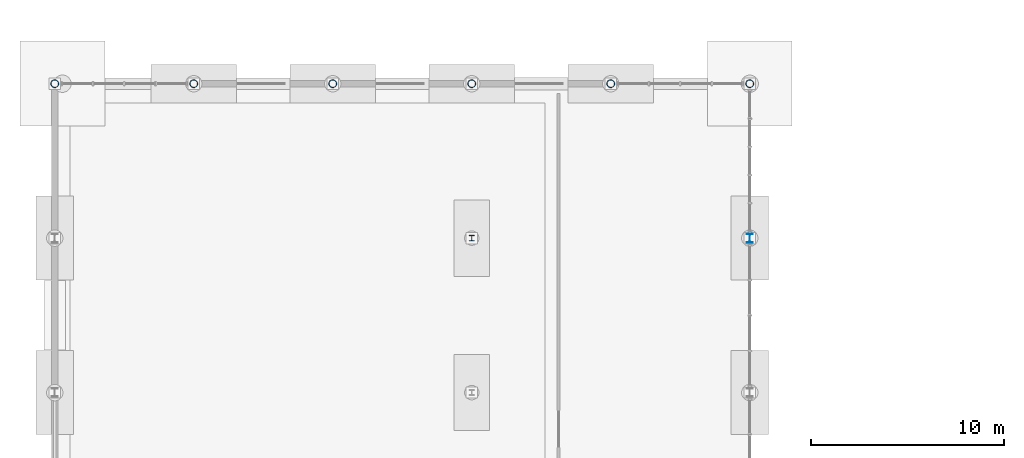
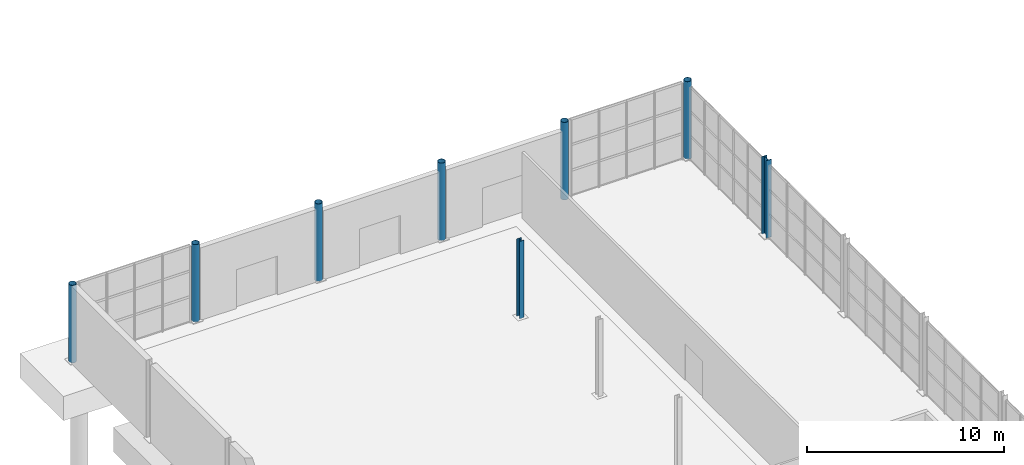
# One storey, part 19 of 101: 8 columns.
"""IFC4 building model written with IfcOpenShell, lengths in metres."""

from ifc_helpers import new_model, si_unit, derived_unit, direction, frame, origin, origin_2d, place, context, subcontext, project, spatial, hollow_circle, i_section, extrude, material, material_profile, profile_set, type_object, element, save


model = new_model("IFC4")

# Units and contexts
model_context = context("Model", 3, precision=1e-05, world=origin(), true_north=direction((0.0, 1.0)))
body_context = subcontext(model_context, "Body", "Model", "MODEL_VIEW")
ifc_project = project(units=[si_unit("LENGTHUNIT", "METRE"), si_unit("AREAUNIT", "SQUARE_METRE"), si_unit("VOLUMEUNIT", "CUBIC_METRE"), si_unit("PLANEANGLEUNIT", "RADIAN"), si_unit("MASSUNIT", "GRAM", prefix="KILO"), derived_unit("THERMALTRANSMITTANCEUNIT", [(si_unit("POWERUNIT", "WATT"), 1), (si_unit("LENGTHUNIT", "METRE"), -2), (si_unit("THERMODYNAMICTEMPERATUREUNIT", "KELVIN"), -1)])], contexts=[model_context])

# Site, building, storey
site_placement = place(None, origin())
site = spatial("IfcSite", under=ifc_project, at=site_placement, CompositionType="ELEMENT")
building_placement = place(site_placement, origin())
building = spatial("IfcBuilding", under=site, at=building_placement, Name="Keldorne Ridge Multi-Sports Centre", CompositionType="ELEMENT")
storey_placement = place(building_placement, origin())
storey = spatial("IfcBuildingStorey", under=building, at=storey_placement, Name="L00", CompositionType="ELEMENT", Elevation=0.0)

# Columns
ifc_material = material(Name="Steel S355", Category="steel")
ifc_material_profile_1 = material_profile(ifc_material, i_section(OverallWidth=0.300048828125, OverallDepth=0.449951171875, WebThickness=0.013916015625, FlangeThickness=0.02587890625, FilletRadius=0.027099609375, at=origin_2d()), Name="HEB 450")
ifc_profile_set_1 = profile_set([ifc_material_profile_1], Name="Steel S355")
column_type_1 = type_object("IfcColumnType", Name="COL-C-06", PredefinedType="COLUMN", material=ifc_profile_set_1)
column_1_placement = place(storey_placement, frame((42.0, 106.0, 0.0), z_axis=(0.0, 0.0, 1.0), x_axis=(1.0, 0.0, 0.0)))
element("IfcColumn", 1, at=column_1_placement, inside=storey, type_object=column_type_1, Name="Structural column V3-SIDE-E-05 on L00", PredefinedType="COLUMN", context=body_context, shape_type="SweptSolid", body=[
    extrude(i_section(OverallWidth=0.300048828125, OverallDepth=0.449951171875, WebThickness=0.013916015625, FlangeThickness=0.02587890625, FilletRadius=0.027099609375, at=origin_2d()), origin(), (0.0, 0.0, 1.0), 4.800048828125),
])
ifc_material_profile_2 = material_profile(ifc_material, hollow_circle(Radius=0.203125, WallThickness=0.01611328125, at=origin_2d()), Name="CHS 406.4x16")
ifc_profile_set_2 = profile_set([ifc_material_profile_2], Name="Steel S355")
column_type_2 = type_object("IfcColumnType", Name="COL-C-07", PredefinedType="COLUMN", material=ifc_profile_set_2)
for number, where, z_axis, x_axis, name in (
    (2, (6.0, 114.0, 0.0), (0.0, 0.0, 1.0), (1.0, 0.0, 0.0), "Structural column V3-PER-N-01 on L00"),
    (3, (13.199951171875, 114.0, 0.0), (0.0, 0.0, 1.0), (1.0, 0.0, 0.0), "Structural column V3-PER-N-02 on L00"),
    (4, (20.39990234375, 114.0, 0.0), (0.0, 0.0, 1.0), (1.0, 0.0, 0.0), "Structural column V3-PER-N-03 on L00"),
    (5, (27.60009765625, 114.0, 0.0), (0.0, 0.0, 1.0), (1.0, 0.0, 0.0), "Structural column V3-PER-N-04 on L00"),
    (6, (34.800048828125, 114.0, 0.0), (0.0, 0.0, 1.0), (1.0, 0.0, 0.0), "Structural column V3-PER-N-05 on L00"),
    (7, (42.0, 114.0, 0.0), (0.0, 0.0, 1.0), (1.0, 0.0, 0.0), "Structural column V3-PER-N-06 on L00"),
):
    element("IfcColumn", number, at=place(storey_placement, frame(where, z_axis=z_axis, x_axis=x_axis)), inside=storey, type_object=column_type_2, Name=name, PredefinedType="COLUMN", context=body_context, shape_type="SweptSolid", body=[
        extrude(hollow_circle(Radius=0.203125, WallThickness=0.01611328125, at=origin_2d()), origin(), (0.0, 0.0, 1.0), 4.800048828125),
    ])
ifc_material_profile_3 = material_profile(ifc_material, i_section(OverallWidth=0.280029296875, OverallDepth=0.280029296875, WebThickness=0.010498046875, FlangeThickness=0.01806640625, FilletRadius=0.02392578125, at=origin_2d()), Name="HEB 280")
ifc_profile_set_3 = profile_set([ifc_material_profile_3], Name="Steel S355")
column_type_3 = type_object("IfcColumnType", Name="COL-C-13", PredefinedType="COLUMN", material=ifc_profile_set_3)
column_2_placement = place(storey_placement, frame((27.60009765625, 106.0, 0.0), z_axis=(0.0, 0.0, 1.0), x_axis=(1.0, 0.0, 0.0)))
element("IfcColumn", 8, at=column_2_placement, inside=storey, type_object=column_type_3, Name="Structural column V3-GAL-05 on L00", PredefinedType="COLUMN", context=body_context, shape_type="SweptSolid", body=[
    extrude(i_section(OverallWidth=0.280029296875, OverallDepth=0.280029296875, WebThickness=0.010498046875, FlangeThickness=0.01806640625, FilletRadius=0.02392578125, at=origin_2d()), origin(), (0.0, 0.0, 1.0), 4.800048828125),
])

save(model, "model.ifc")
